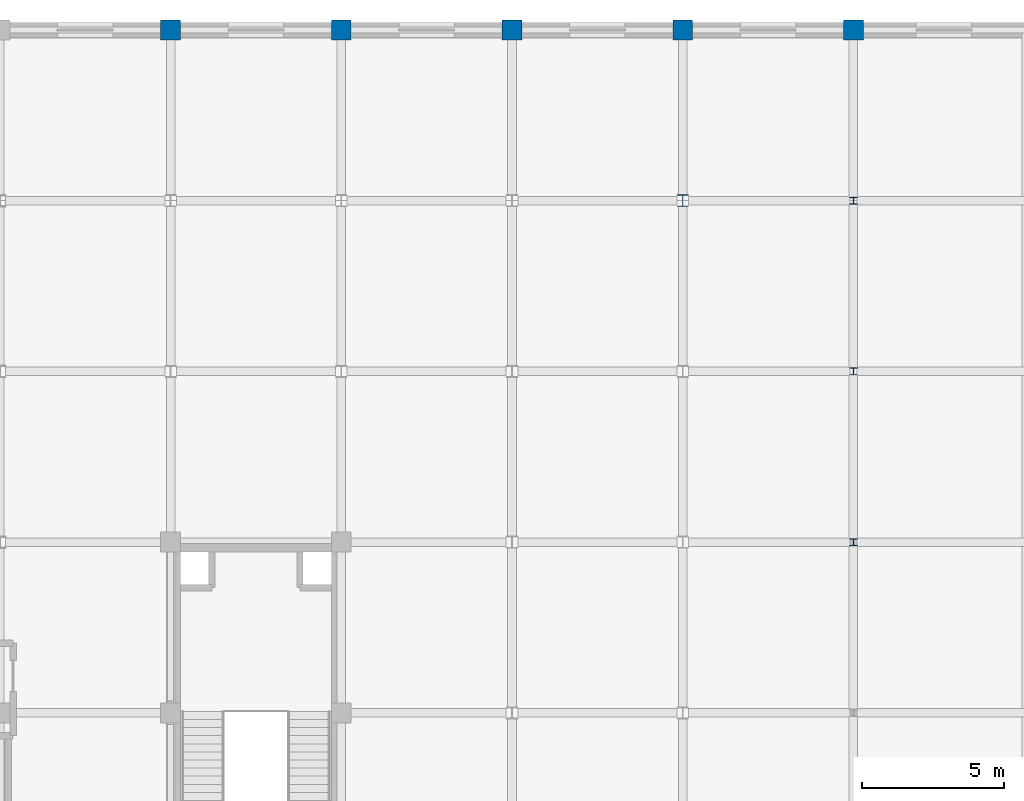
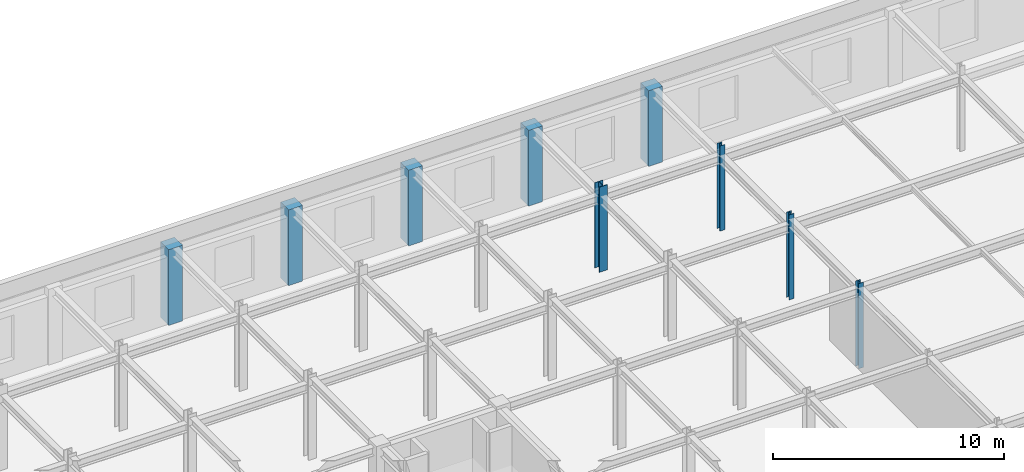
# One storey, part 20 of 111: 9 columns.
"""IFC4 building model written with IfcOpenShell, lengths in metres."""

from ifc_helpers import new_model, si_unit, direction, frame, origin, origin_2d, place, context, subcontext, project, spatial, rectangle, i_section, extrude, material, material_profile, profile_set, type_object, element, save


model = new_model("IFC4")

# Units and contexts
model_context = context("Model", 3, precision=1e-05, world=origin(), true_north=direction((0.0, 1.0)))
body_context = subcontext(model_context, "Body", "Model", "MODEL_VIEW")
ifc_project = project(units=[si_unit("LENGTHUNIT", "METRE"), si_unit("AREAUNIT", "SQUARE_METRE"), si_unit("VOLUMEUNIT", "CUBIC_METRE"), si_unit("PLANEANGLEUNIT", "RADIAN"), si_unit("MASSUNIT", "GRAM", prefix="KILO")], contexts=[model_context])

# Site, building, storey
site_placement = place(None, origin())
site = spatial("IfcSite", under=ifc_project, at=site_placement, CompositionType="ELEMENT")
building_placement = place(site_placement, origin())
building = spatial("IfcBuilding", under=site, at=building_placement, Name="Zlatovratsky Civic Hall", CompositionType="ELEMENT")
storey_placement = place(building_placement, frame((0.0, 0.0, 16.5)))
storey = spatial("IfcBuildingStorey", under=building, at=storey_placement, Name="L04", CompositionType="ELEMENT", Elevation=16.5)

# Columns
ifc_material_1 = material(Name="Concrete C35/45 (B40)", Category="concrete")
ifc_material_profile_1 = material_profile(ifc_material_1, rectangle(XDim=0.699951171875, YDim=0.699951171875, at=origin_2d()), Name="RC 700x700")
ifc_profile_set_1 = profile_set([ifc_material_profile_1], Name="Concrete C35/45 (B40)")
column_type_1 = type_object("IfcColumnType", Name="Col_CorePier_RC700", PredefinedType="COLUMN", material=ifc_profile_set_1)
for number, where, z_axis, x_axis, name in (
    (1, (96.0, 114.0, 0.0), (0.0, 0.0, 1.0), (1.0, 0.0, 0.0), "CL-1903"),
    (2, (102.0, 114.0, 0.0), (0.0, 0.0, 1.0), (1.0, 0.0, 0.0), "CL-1904"),
    (3, (108.0, 114.0, 0.0), (0.0, 0.0, 1.0), (1.0, 0.0, 0.0), "CL-1905"),
    (4, (114.0, 114.0, 0.0), (0.0, 0.0, 1.0), (1.0, 0.0, 0.0), "CL-1906"),
    (5, (120.0, 114.0, 0.0), (0.0, 0.0, 1.0), (1.0, 0.0, 0.0), "CL-1907"),
):
    element("IfcColumn", number, at=place(storey_placement, frame(where, z_axis=z_axis, x_axis=x_axis)), inside=storey, type_object=column_type_1, Name=name, PredefinedType="COLUMN", context=body_context, shape_type="SweptSolid", body=[
        extrude(rectangle(XDim=0.699951171875, YDim=0.699951171875, at=origin_2d()), origin(), (0.0, 0.0, 1.0), 4.0),
    ])
ifc_material_2 = material(Name="Steel S355", Category="steel")
ifc_material_profile_2 = material_profile(ifc_material_2, i_section(OverallWidth=0.25, OverallDepth=0.25, WebThickness=0.009033203125, FlangeThickness=0.013916015625, FilletRadius=0.01611328125, at=origin_2d()), Name="25K2")
ifc_profile_set_2 = profile_set([ifc_material_profile_2], Name="Steel S355")
column_type_2 = type_object("IfcColumnType", Name="Col_Steel_25K2", PredefinedType="COLUMN", material=ifc_profile_set_2)
for number, where, z_axis, x_axis, name in (
    (6, (120.0, 96.0, 0.0), (0.0, 0.0, 1.0), (1.0, 0.0, 0.0), "CL-1838"),
    (7, (120.0, 102.0, 0.0), (0.0, 0.0, 1.0), (1.0, 0.0, 0.0), "CL-1861"),
    (8, (120.0, 108.0, 0.0), (0.0, 0.0, 1.0), (1.0, 0.0, 0.0), "CL-1884"),
):
    element("IfcColumn", number, at=place(storey_placement, frame(where, z_axis=z_axis, x_axis=x_axis)), inside=storey, type_object=column_type_2, Name=name, PredefinedType="COLUMN", context=body_context, shape_type="SweptSolid", body=[
        extrude(i_section(OverallWidth=0.25, OverallDepth=0.25, WebThickness=0.009033203125, FlangeThickness=0.013916015625, FilletRadius=0.01611328125, at=origin_2d()), origin(), (0.0, 0.0, 1.0), 4.5),
    ])
ifc_material_profile_3 = material_profile(ifc_material_2, i_section(OverallWidth=0.405029296875, OverallDepth=0.41796875, WebThickness=0.02001953125, FlangeThickness=0.030029296875, FilletRadius=0.02197265625, at=origin_2d()), Name="40K4")
ifc_profile_set_3 = profile_set([ifc_material_profile_3], Name="Steel S355")
column_type_3 = type_object("IfcColumnType", Name="Col_Steel_40K4", PredefinedType="COLUMN", material=ifc_profile_set_3)
column_placement = place(storey_placement, frame((114.0, 108.0, 0.0), z_axis=(0.0, 0.0, 1.0), x_axis=(1.0, 0.0, 0.0)))
element("IfcColumn", 9, at=column_placement, inside=storey, type_object=column_type_3, Name="CL-1883", PredefinedType="COLUMN", context=body_context, shape_type="SweptSolid", body=[
    extrude(i_section(OverallWidth=0.405029296875, OverallDepth=0.41796875, WebThickness=0.02001953125, FlangeThickness=0.030029296875, FilletRadius=0.02197265625, at=origin_2d()), origin(), (0.0, 0.0, 1.0), 4.5),
])

save(model, "model.ifc")
